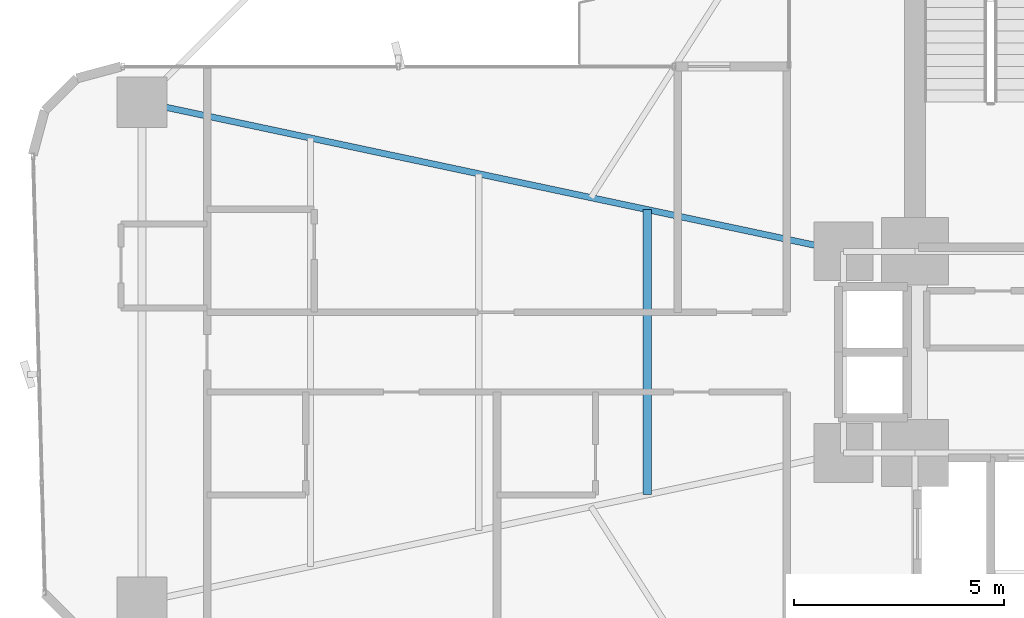
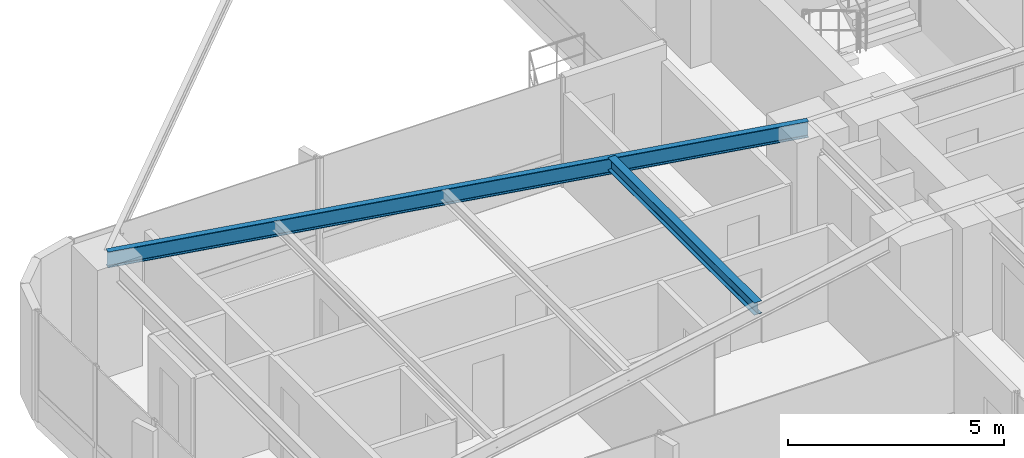
# One storey, part 9 of 26: 2 beams.
"""IFC4 building model written with IfcOpenShell, lengths in metres."""

from ifc_helpers import new_model, si_unit, direction, frame, origin, origin_2d, place, context, subcontext, project, spatial, i_section, extrude, source, transform, mapped, material, material_profile, profile_set, type_object, element, save


model = new_model("IFC4")

# Units and contexts
model_context = context("Model", 3, precision=1e-05, world=origin(), true_north=direction((0.0, 1.0)))
body_context = subcontext(model_context, "Body", "Model", "MODEL_VIEW")
ifc_project = project(units=[si_unit("LENGTHUNIT", "METRE"), si_unit("AREAUNIT", "SQUARE_METRE"), si_unit("VOLUMEUNIT", "CUBIC_METRE"), si_unit("PLANEANGLEUNIT", "RADIAN"), si_unit("MASSUNIT", "GRAM", prefix="KILO")], contexts=[model_context])

# Site, building, storey
site_placement = place(None, origin())
site = spatial("IfcSite", under=ifc_project, at=site_placement, CompositionType="ELEMENT")
building_placement = place(site_placement, origin())
building = spatial("IfcBuilding", under=site, at=building_placement, Name="Sahyath Konkavel Grand Hotel", CompositionType="ELEMENT")
storey_placement = place(building_placement, frame((0.0, 0.0, 51.050048828125)))
storey = spatial("IfcBuildingStorey", under=building, at=storey_placement, Name="L13", CompositionType="ELEMENT", Elevation=51.050048828125)

# Beams
ifc_material = material(Name="Steel E350", Category="steel")
ifc_material_profile_1 = material_profile(ifc_material, i_section(OverallWidth=0.14990234375, OverallDepth=0.449951171875, WebThickness=0.009521484375, FlangeThickness=0.017333984375, FilletRadius=0.014892578125, at=origin_2d()), Name="ISMB 450")
ifc_profile_set_1 = profile_set([ifc_material_profile_1], Name="Steel E350")
beam_type_1 = type_object("IfcBeamType", Name="BM-ISMB450", PredefinedType="BEAM", material=ifc_profile_set_1)
shared_shape_1 = source(origin(), body_context, "Body", "SweptSolid", [
    extrude(i_section(OverallWidth=0.14990234375, OverallDepth=0.449951171875, WebThickness=0.009521484375, FlangeThickness=0.017333984375, FilletRadius=0.014892578125, at=origin_2d()), origin(), (0.0, 0.0, 1.0), 17.072998046875),
])
beam_1_placement = place(storey_placement, frame((-5.5, 2.39990234375, 2.885009765625), z_axis=(-0.978143257225, 0.20793212437, 0.0), x_axis=(-0.20793212437, -0.978143257225, 0.0)))
element("IfcBeam", 1, at=beam_1_placement, inside=storey, type_object=beam_type_1, Name="L13 Cruciform Radial Girder WA", PredefinedType="BEAM", context=body_context, shape_type="MappedRepresentation", body=[
    mapped(shared_shape_1, transform((0.0, 0.0, 0.0), scale=1.0)),
])
ifc_material_profile_2 = material_profile(ifc_material, i_section(OverallWidth=0.199951171875, OverallDepth=0.35009765625, WebThickness=0.008056640625, FlangeThickness=0.011474609375, FilletRadius=0.013916015625, at=origin_2d()), Name="ISWB 350")
ifc_profile_set_2 = profile_set([ifc_material_profile_2], Name="Steel E350")
beam_type_2 = type_object("IfcBeamType", Name="BM-ISWB350", PredefinedType="BEAM", material=ifc_profile_set_2)
shared_shape_2 = source(origin(), body_context, "Body", "SweptSolid", [
    extrude(i_section(OverallWidth=0.199951171875, OverallDepth=0.35009765625, WebThickness=0.008056640625, FlangeThickness=0.011474609375, FilletRadius=0.013916015625, at=origin_2d()), origin(), (0.0, 0.0, 1.0), 6.7880859375),
])
beam_2_placement = place(storey_placement, frame((-10.176025390625, 3.39404296875, 2.93505859375), z_axis=(0.0, -1.0, 0.0), x_axis=(1.0, 0.0, 0.0)))
element("IfcBeam", 2, at=beam_2_placement, inside=storey, type_object=beam_type_2, Name="L13 Secondary Floor Beam W-1", PredefinedType="BEAM", context=body_context, shape_type="MappedRepresentation", body=[
    mapped(shared_shape_2, transform((0.0, 0.0, 0.0), scale=1.0)),
])

save(model, "model.ifc")
